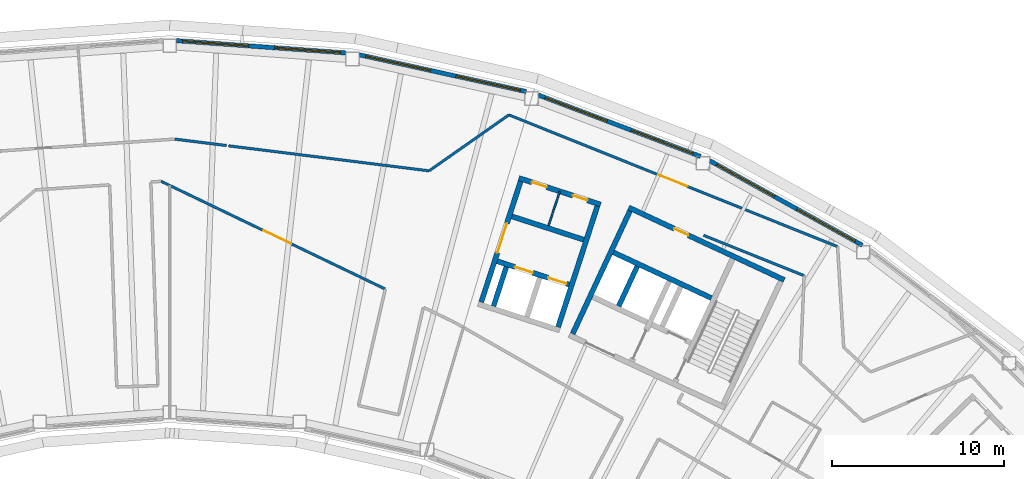
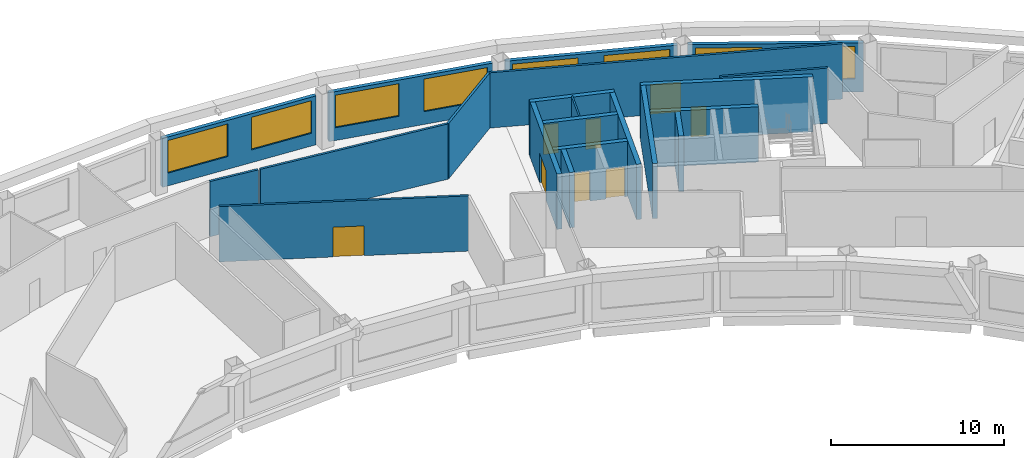
# One storey, part 9 of 15: 21 walls, 8 doors, 8 windows, 16 openings.
"""IFC4 building model written with IfcOpenShell, lengths in metres."""

from ifc_helpers import new_model, si_unit, direction, frame, frame_2d, origin, place, context, subcontext, project, spatial, rectangle, extrude, material, layer, layer_set, type_object, element, fill, save


model = new_model("IFC4")

# Units and contexts
model_context = context("Model", 3, precision=1e-05, world=origin(), true_north=direction((0.0, 1.0)))
body_context = subcontext(model_context, "Body", "Model", "MODEL_VIEW")
ifc_project = project(units=[si_unit("LENGTHUNIT", "METRE"), si_unit("AREAUNIT", "SQUARE_METRE"), si_unit("VOLUMEUNIT", "CUBIC_METRE"), si_unit("PLANEANGLEUNIT", "RADIAN"), si_unit("MASSUNIT", "GRAM", prefix="KILO")], contexts=[model_context])

# Site, building, storey
site_placement = place(None, origin())
site = spatial("IfcSite", under=ifc_project, at=site_placement, CompositionType="ELEMENT")
building_placement = place(site_placement, origin())
building = spatial("IfcBuilding", under=site, at=building_placement, Name="Tuul Gate Civic Tower", CompositionType="ELEMENT")
storey_placement = place(building_placement, frame((0.0, 0.0, 332.300048828125)))
storey = spatial("IfcBuildingStorey", under=building, at=storey_placement, Name="Level 75", CompositionType="ELEMENT", Elevation=332.300048828125)

# Wall
ifc_material_1 = material(Name="Concrete C50/60", Category="concrete")
ifc_layer_1 = layer(ifc_material_1, 0.300048828125)
ifc_layer_set_1 = layer_set([ifc_layer_1], Name="Concrete C50/60")
wall_type_1 = type_object("IfcWallType", Name="Core wall C50/60", PredefinedType="SHEAR", material=ifc_layer_set_1)
wall_1_placement = place(storey_placement, frame((33.75, -0.873779296875, 0.0), z_axis=(0.0, 0.0, 1.0), x_axis=(-0.906300917592, 0.422632992999, 0.0)))
element("IfcWall", 1, at=wall_1_placement, inside=storey, type_object=wall_type_1, Name="Core wall", PredefinedType="SHEAR", context=body_context, shape_type="SweptSolid", body=[
    extrude(rectangle(XDim=6.300048828125, YDim=0.300048828125, at=frame_2d((3.14990234375, 0.0))), origin(), (0.0, 0.0, 1.0), 3.89990234375),
])

# Wall, opening, door
wall_2_placement = place(storey_placement, frame((37.993408203125, 0.181884765625, 0.0), z_axis=(0.0, 0.0, 1.0), x_axis=(-0.906310338845, 0.422612789327, 0.0)))
wall_2 = element("IfcWall", 2, at=wall_2_placement, inside=storey, type_object=wall_type_1, Name="Core wall", PredefinedType="SHEAR", context=body_context, shape_type="SweptSolid", body=[
    extrude(rectangle(XDim=9.999755859375, YDim=0.300048828125, at=frame_2d((5.0, 0.0))), origin(), (0.0, 0.0, 1.0), 3.89990234375),
])
opening_1_placement = place(wall_2_placement, frame((6.175048828125, 0.0, 0.0)))
opening_1 = element("IfcOpeningElement", 3, at=opening_1_placement, cuts=wall_2, Name="Opening AB-D18", PredefinedType="OPENING", context=body_context, shape_type="SweptSolid", body=[
    extrude(rectangle(XDim=0.89990234375, YDim=2.10009765625, at=frame_2d((0.449951171875, 1.050048828125))), frame((0.0, 0.16015625, 0.0), z_axis=(0.0, -1.0, 0.0), x_axis=(1.0, 0.0, 0.0)), (0.0, 0.0, 1.0), 0.320068359375),
])
ifc_material_2 = material(Name="Timber door leaf", Category="wood")
door_type_1 = type_object("IfcDoorType", Name="Door D09", OperationType="NOTDEFINED", PredefinedType="DOOR", material=ifc_material_2)
door_1_placement = place(opening_1_placement, origin())
door_1 = element("IfcDoor", 4, at=door_1_placement, inside=storey, type_object=door_type_1, Name="Door AB-D18", OperationType="SINGLE_SWING_LEFT", OverallHeight=2.10009765625, OverallWidth=0.89990234375, PredefinedType="DOOR", context=body_context, shape_type="SweptSolid", body=[
    extrude(rectangle(XDim=0.89990234375, YDim=2.10009765625, at=frame_2d((0.449951171875, 1.050048828125))), frame((0.0, 0.02490234375, 0.0), z_axis=(0.0, -1.0, 0.0), x_axis=(1.0, 0.0, 0.0)), (0.0, 0.0, 1.0), 0.050048828125),
])
fill(opening_1, door_1)

# Walls
wall_3_placement = place(storey_placement, frame((28.349365234375, -1.33447265625, 0.0), z_axis=(0.0, 0.0, 1.0), x_axis=(0.422612891016, 0.906310291427, 0.0)))
element("IfcWall", 5, at=wall_3_placement, inside=storey, type_object=wall_type_1, Name="Core wall", PredefinedType="SHEAR", context=body_context, shape_type="SweptSolid", body=[
    extrude(rectangle(XDim=2.550048828125, YDim=0.300048828125, at=frame_2d((1.27490234375, 0.0))), origin(), (0.0, 0.0, 1.0), 3.89990234375),
])
wall_4_placement = place(storey_placement, frame((25.66455078125, -2.951416015625, 0.0), z_axis=(0.0, 0.0, 1.0), x_axis=(0.422582604137, 0.906324413596, 0.0)))
element("IfcWall", 6, at=wall_4_placement, inside=storey, type_object=wall_type_1, Name="Core wall", PredefinedType="SHEAR", context=body_context, shape_type="SweptSolid", body=[
    extrude(rectangle(XDim=7.89990234375, YDim=0.300048828125, at=frame_2d((3.949951171875, 0.0))), origin(), (0.0, 0.0, 1.0), 3.89990234375),
])

# Wall, opening, door
ifc_material_3 = material(Name="Gypsum board partition")
ifc_layer_2 = layer(ifc_material_3, 0.14990234375)
ifc_layer_set_2 = layer_set([ifc_layer_2], Name="Gypsum board partition")
wall_type_2 = type_object("IfcWallType", Name="Corridor wall P150", PredefinedType="PARTITIONING", material=ifc_layer_set_2)
wall_5_placement = place(storey_placement, frame((21.94970703125, 9.802490234375, 0.0), z_axis=(0.0, 0.0, 1.0), x_axis=(0.928202204222, -0.372076158975, 0.0)))
wall_5 = element("IfcWall", 7, at=wall_5_placement, inside=storey, type_object=wall_type_2, Name="p011", PredefinedType="PARTITIONING", context=body_context, shape_type="SweptSolid", body=[
    extrude(rectangle(XDim=20.629638671875, YDim=0.14990234375, at=frame_2d((10.31494140625, 0.0))), origin(), (0.0, 0.0, 1.0), 3.89990234375),
])
opening_2_placement = place(wall_5_placement, frame((9.414794921875, 0.0, 0.0)))
opening_2 = element("IfcOpeningElement", 8, at=opening_2_placement, cuts=wall_5, Name="Opening AB-D01", PredefinedType="OPENING", context=body_context, shape_type="SweptSolid", body=[
    extrude(rectangle(XDim=1.800048828125, YDim=2.10009765625, at=frame_2d((0.89990234375, 1.050048828125))), frame((0.0, 0.0849609375, 0.0), z_axis=(0.0, -1.0, 0.0), x_axis=(1.0, 0.0, 0.0)), (0.0, 0.0, 1.0), 0.169921875),
])
ifc_material_4 = material(Name="Timber door leaf, double", Category="wood")
door_type_2 = type_object("IfcDoorType", Name="Door D18", OperationType="DOUBLE_DOOR_SINGLE_SWING", PredefinedType="DOOR", material=ifc_material_4)
door_2_placement = place(opening_2_placement, origin())
door_2 = element("IfcDoor", 9, at=door_2_placement, inside=storey, type_object=door_type_2, Name="Door AB-D01", OperationType="DOUBLE_DOOR_SINGLE_SWING", OverallHeight=2.10009765625, OverallWidth=1.800048828125, PredefinedType="DOOR", context=body_context, shape_type="SweptSolid", body=[
    extrude(rectangle(XDim=1.800048828125, YDim=2.10009765625, at=frame_2d((0.89990234375, 1.050048828125))), frame((0.0, 0.02490234375, 0.0), z_axis=(0.0, -1.0, 0.0), x_axis=(1.0, 0.0, 0.0)), (0.0, 0.0, 1.0), 0.050048828125),
])
fill(opening_2, door_2)

# Walls
wall_6_placement = place(storey_placement, frame((17.305908203125, 6.5439453125, 0.0), z_axis=(0.0, 0.0, 1.0), x_axis=(0.818578347198, 0.574394889861, 0.0)))
element("IfcWall", 10, at=wall_6_placement, inside=storey, type_object=wall_type_2, Name="p012", PredefinedType="PARTITIONING", context=body_context, shape_type="SweptSolid", body=[
    extrude(rectangle(XDim=5.673095703125, YDim=0.14990234375, at=frame_2d((2.83642578125, 0.0))), origin(), (0.0, 0.0, 1.0), 3.89990234375),
])
wall_7_placement = place(storey_placement, frame((2.48779296875, 8.39208984375, 0.0), z_axis=(0.0, 0.0, 1.0), x_axis=(0.992296478197, -0.123885831952, 0.0)))
element("IfcWall", 11, at=wall_7_placement, inside=storey, type_object=wall_type_2, Name="p013", PredefinedType="PARTITIONING", context=body_context, shape_type="SweptSolid", body=[
    extrude(rectangle(XDim=3.027099609375, YDim=0.14990234375, at=frame_2d((1.513671875, 0.0))), origin(), (0.0, 0.0, 1.0), 3.89990234375),
])
wall_8_placement = place(storey_placement, frame((5.622802734375, 8.000732421875, 0.0), z_axis=(0.0, 0.0, 1.0), x_axis=(0.992297019346, -0.123881497396, 0.0)))
element("IfcWall", 12, at=wall_8_placement, inside=storey, type_object=wall_type_2, Name="p014", PredefinedType="PARTITIONING", context=body_context, shape_type="SweptSolid", body=[
    extrude(rectangle(XDim=11.765380859375, YDim=0.14990234375, at=frame_2d((5.8828125, 0.0))), origin(), (0.0, 0.0, 1.0), 3.89990234375),
])

# Wall, opening, door
wall_9_placement = place(storey_placement, frame((1.69091796875, 5.9326171875, 0.0), z_axis=(0.0, 0.0, 1.0), x_axis=(0.901298658641, -0.433198254766, 0.0)))
wall_9 = element("IfcWall", 13, at=wall_9_placement, inside=storey, type_object=wall_type_2, Name="p044", PredefinedType="PARTITIONING", context=body_context, shape_type="SweptSolid", body=[
    extrude(rectangle(XDim=14.47265625, YDim=0.14990234375, at=frame_2d((7.236328125, 0.0))), origin(), (0.0, 0.0, 1.0), 3.89990234375),
])
opening_3_placement = place(wall_9_placement, frame((6.6142578125, 0.0, 0.0)))
opening_3 = element("IfcOpeningElement", 14, at=opening_3_placement, cuts=wall_9, Name="Opening AB-D07", PredefinedType="OPENING", context=body_context, shape_type="SweptSolid", body=[
    extrude(rectangle(XDim=1.800048828125, YDim=2.10009765625, at=frame_2d((0.89990234375, 1.050048828125))), frame((0.0, 0.0849609375, 0.0), z_axis=(0.0, -1.0, 0.0), x_axis=(1.0, 0.0, 0.0)), (0.0, 0.0, 1.0), 0.169921875),
])
door_3_placement = place(opening_3_placement, frame((1.800048828125, 0.0, 0.0), z_axis=(0.0, 0.0, 1.0), x_axis=(-1.0, 0.0, 0.0)))
door_3 = element("IfcDoor", 15, at=door_3_placement, inside=storey, type_object=door_type_2, Name="Door AB-D07", OperationType="DOUBLE_DOOR_SINGLE_SWING", OverallHeight=2.10009765625, OverallWidth=1.800048828125, PredefinedType="DOOR", context=body_context, shape_type="SweptSolid", body=[
    extrude(rectangle(XDim=1.800048828125, YDim=2.10009765625, at=frame_2d((0.900146484375, 1.050048828125))), frame((0.0, 0.02490234375, 0.0), z_axis=(0.0, -1.0, 0.0), x_axis=(1.0, 0.0, 0.0)), (0.0, 0.0, 1.0), 0.050048828125),
])
fill(opening_3, door_3)

# Wall
wall_10_placement = place(storey_placement, frame((33.290771484375, 2.784912109375, 0.0), z_axis=(0.0, 0.0, 1.0), x_axis=(0.928223080545, -0.37202407549, 0.0)))
element("IfcWall", 16, at=wall_10_placement, inside=storey, type_object=wall_type_2, Name="p079", PredefinedType="PARTITIONING", context=body_context, shape_type="SweptSolid", body=[
    extrude(rectangle(XDim=6.3125, YDim=0.14990234375, at=frame_2d((3.15625, 0.0))), origin(), (0.0, 0.0, 1.0), 3.89990234375),
])

# Wall, openings, windows
ifc_material_5 = material(Name="Precast concrete C40/50", Category="concrete")
ifc_layer_3 = layer(ifc_material_5, 0.25)
ifc_layer_set_3 = layer_set([ifc_layer_3], Name="Precast concrete C40/50")
wall_type_3 = type_object("IfcWallType", Name="External wall", PredefinedType="STANDARD", material=ifc_layer_set_3)
wall_11_placement = place(storey_placement, frame((42.54345703125, 2.205078125, 0.0), z_axis=(0.0, 0.0, 1.0), x_axis=(-0.87463511472, 0.484781823193, 0.0)))
wall_11 = element("IfcWall", 17, at=wall_11_placement, inside=storey, type_object=wall_type_3, Name="External wall", PredefinedType="STANDARD", context=body_context, shape_type="SweptSolid", body=[
    extrude(rectangle(XDim=10.161376953125, YDim=0.25, at=frame_2d((5.08056640625, 0.0))), origin(), (0.0, 0.0, 1.0), 3.449951171875),
])
opening_4_placement = place(wall_11_placement, frame((0.48974609375, 0.0, 0.89990234375)))
opening_4 = element("IfcOpeningElement", 18, at=opening_4_placement, cuts=wall_11, Name="Opening W22", PredefinedType="OPENING", context=body_context, shape_type="SweptSolid", body=[
    extrude(rectangle(XDim=3.85009765625, YDim=2.300048828125, at=frame_2d((1.925048828125, 1.14990234375))), frame((0.0, 0.135009765625, 0.0), z_axis=(0.0, -1.0, 0.0), x_axis=(1.0, 0.0, 0.0)), (0.0, 0.0, 1.0), 0.27001953125),
])
opening_5_placement = place(wall_11_placement, frame((5.861328125, 0.0, 0.89990234375)))
opening_5 = element("IfcOpeningElement", 19, at=opening_5_placement, cuts=wall_11, Name="Opening W22", PredefinedType="OPENING", context=body_context, shape_type="SweptSolid", body=[
    extrude(rectangle(XDim=3.85009765625, YDim=2.300048828125, at=frame_2d((1.925048828125, 1.14990234375))), frame((0.0, 0.135009765625, 0.0), z_axis=(0.0, -1.0, 0.0), x_axis=(1.0, 0.0, 0.0)), (0.0, 0.0, 1.0), 0.27001953125),
])
ifc_material_6 = material(Name="Glass", Category="glass")
window_type = type_object("IfcWindowType", Name="Window W22 3850 x 2300", PartitioningType="SINGLE_PANEL", PredefinedType="WINDOW", material=ifc_material_6)
window_1_placement = place(opening_4_placement, origin())
window_1 = element("IfcWindow", 20, at=window_1_placement, inside=storey, type_object=window_type, Name="Window", OverallHeight=2.300048828125, OverallWidth=3.85009765625, PartitioningType="SINGLE_PANEL", PredefinedType="WINDOW", context=body_context, shape_type="SweptSolid", body=[
    extrude(rectangle(XDim=3.85009765625, YDim=2.300048828125, at=frame_2d((1.925048828125, 1.14990234375))), frame((0.0, 0.030029296875, 0.0), z_axis=(0.0, -1.0, 0.0), x_axis=(1.0, 0.0, 0.0)), (0.0, 0.0, 1.0), 0.06005859375),
])
fill(opening_4, window_1)
window_2_placement = place(opening_5_placement, origin())
window_2 = element("IfcWindow", 21, at=window_2_placement, inside=storey, type_object=window_type, Name="Window", OverallHeight=2.300048828125, OverallWidth=3.85009765625, PartitioningType="SINGLE_PANEL", PredefinedType="WINDOW", context=body_context, shape_type="SweptSolid", body=[
    extrude(rectangle(XDim=3.85009765625, YDim=2.300048828125, at=frame_2d((1.925048828125, 1.14990234375))), frame((0.0, 0.030029296875, 0.0), z_axis=(0.0, -1.0, 0.0), x_axis=(1.0, 0.0, 0.0)), (0.0, 0.0, 1.0), 0.06005859375),
])
fill(opening_5, window_2)

wall_12_placement = place(storey_placement, frame((33.115478515625, 7.382080078125, 0.0), z_axis=(0.0, 0.0, 1.0), x_axis=(-0.93534700963, 0.353731496444, 0.0)))
wall_12 = element("IfcWall", 22, at=wall_12_placement, inside=storey, type_object=wall_type_3, Name="External wall", PredefinedType="STANDARD", context=body_context, shape_type="SweptSolid", body=[
    extrude(rectangle(XDim=10.099609375, YDim=0.25, at=frame_2d((5.0498046875, 0.0))), origin(), (0.0, 0.0, 1.0), 3.449951171875),
])
opening_6_placement = place(wall_12_placement, frame((0.45556640625, 0.0, 0.89990234375)))
opening_6 = element("IfcOpeningElement", 23, at=opening_6_placement, cuts=wall_12, Name="Opening W22", PredefinedType="OPENING", context=body_context, shape_type="SweptSolid", body=[
    extrude(rectangle(XDim=3.85009765625, YDim=2.300048828125, at=frame_2d((1.925048828125, 1.14990234375))), frame((0.0, 0.135009765625, 0.0), z_axis=(0.0, -1.0, 0.0), x_axis=(1.0, 0.0, 0.0)), (0.0, 0.0, 1.0), 0.27001953125),
])
opening_7_placement = place(wall_12_placement, frame((5.826904296875, 0.0, 0.89990234375)))
opening_7 = element("IfcOpeningElement", 24, at=opening_7_placement, cuts=wall_12, Name="Opening W22", PredefinedType="OPENING", context=body_context, shape_type="SweptSolid", body=[
    extrude(rectangle(XDim=3.85009765625, YDim=2.300048828125, at=frame_2d((1.925048828125, 1.14990234375))), frame((0.0, 0.135009765625, 0.0), z_axis=(0.0, -1.0, 0.0), x_axis=(1.0, 0.0, 0.0)), (0.0, 0.0, 1.0), 0.27001953125),
])
window_3_placement = place(opening_6_placement, origin())
window_3 = element("IfcWindow", 25, at=window_3_placement, inside=storey, type_object=window_type, Name="Window", OverallHeight=2.300048828125, OverallWidth=3.85009765625, PartitioningType="SINGLE_PANEL", PredefinedType="WINDOW", context=body_context, shape_type="SweptSolid", body=[
    extrude(rectangle(XDim=3.85009765625, YDim=2.300048828125, at=frame_2d((1.925048828125, 1.14990234375))), frame((0.0, 0.030029296875, 0.0), z_axis=(0.0, -1.0, 0.0), x_axis=(1.0, 0.0, 0.0)), (0.0, 0.0, 1.0), 0.06005859375),
])
fill(opening_6, window_3)
window_4_placement = place(opening_7_placement, origin())
window_4 = element("IfcWindow", 26, at=window_4_placement, inside=storey, type_object=window_type, Name="Window", OverallHeight=2.300048828125, OverallWidth=3.85009765625, PartitioningType="SINGLE_PANEL", PredefinedType="WINDOW", context=body_context, shape_type="SweptSolid", body=[
    extrude(rectangle(XDim=3.85009765625, YDim=2.300048828125, at=frame_2d((1.925048828125, 1.14990234375))), frame((0.0, 0.030029296875, 0.0), z_axis=(0.0, -1.0, 0.0), x_axis=(1.0, 0.0, 0.0)), (0.0, 0.0, 1.0), 0.06005859375),
])
fill(opening_7, window_4)

wall_13_placement = place(storey_placement, frame((22.9658203125, 11.157958984375, 0.0), z_axis=(0.0, 0.0, 1.0), x_axis=(-0.976563421064, 0.215229841426, 0.0)))
wall_13 = element("IfcWall", 27, at=wall_13_placement, inside=storey, type_object=wall_type_3, Name="External wall", PredefinedType="STANDARD", context=body_context, shape_type="SweptSolid", body=[
    extrude(rectangle(XDim=9.958251953125, YDim=0.25, at=frame_2d((4.97900390625, 0.0))), origin(), (0.0, 0.0, 1.0), 3.449951171875),
])
opening_8_placement = place(wall_13_placement, frame((0.346923828125, 0.0, 0.89990234375)))
opening_8 = element("IfcOpeningElement", 28, at=opening_8_placement, cuts=wall_13, Name="Opening W22", PredefinedType="OPENING", context=body_context, shape_type="SweptSolid", body=[
    extrude(rectangle(XDim=3.85009765625, YDim=2.300048828125, at=frame_2d((1.925048828125, 1.14990234375))), frame((0.0, 0.135009765625, 0.0), z_axis=(0.0, -1.0, 0.0), x_axis=(1.0, 0.0, 0.0)), (0.0, 0.0, 1.0), 0.27001953125),
])
opening_9_placement = place(wall_13_placement, frame((5.71826171875, 0.0, 0.89990234375)))
opening_9 = element("IfcOpeningElement", 29, at=opening_9_placement, cuts=wall_13, Name="Opening W22", PredefinedType="OPENING", context=body_context, shape_type="SweptSolid", body=[
    extrude(rectangle(XDim=3.85009765625, YDim=2.300048828125, at=frame_2d((1.925048828125, 1.14990234375))), frame((0.0, 0.135009765625, 0.0), z_axis=(0.0, -1.0, 0.0), x_axis=(1.0, 0.0, 0.0)), (0.0, 0.0, 1.0), 0.27001953125),
])
window_5_placement = place(opening_8_placement, origin())
window_5 = element("IfcWindow", 30, at=window_5_placement, inside=storey, type_object=window_type, Name="Window", OverallHeight=2.300048828125, OverallWidth=3.85009765625, PartitioningType="SINGLE_PANEL", PredefinedType="WINDOW", context=body_context, shape_type="SweptSolid", body=[
    extrude(rectangle(XDim=3.85009765625, YDim=2.300048828125, at=frame_2d((1.925048828125, 1.14990234375))), frame((0.0, 0.030029296875, 0.0), z_axis=(0.0, -1.0, 0.0), x_axis=(1.0, 0.0, 0.0)), (0.0, 0.0, 1.0), 0.06005859375),
])
fill(opening_8, window_5)
window_6_placement = place(opening_9_placement, origin())
window_6 = element("IfcWindow", 31, at=window_6_placement, inside=storey, type_object=window_type, Name="Window", OverallHeight=2.300048828125, OverallWidth=3.85009765625, PartitioningType="SINGLE_PANEL", PredefinedType="WINDOW", context=body_context, shape_type="SweptSolid", body=[
    extrude(rectangle(XDim=3.85009765625, YDim=2.300048828125, at=frame_2d((1.925048828125, 1.14990234375))), frame((0.0, 0.030029296875, 0.0), z_axis=(0.0, -1.0, 0.0), x_axis=(1.0, 0.0, 0.0)), (0.0, 0.0, 1.0), 0.06005859375),
])
fill(opening_9, window_6)

wall_14_placement = place(storey_placement, frame((12.44091796875, 13.411376953125, 0.0), z_axis=(0.0, 0.0, 1.0), x_axis=(-0.997387042659, 0.072243249762, 0.0)))
wall_14 = element("IfcWall", 32, at=wall_14_placement, inside=storey, type_object=wall_type_3, Name="External wall", PredefinedType="STANDARD", context=body_context, shape_type="SweptSolid", body=[
    extrude(rectangle(XDim=9.874755859375, YDim=0.25, at=frame_2d((4.9375, 0.0))), origin(), (0.0, 0.0, 1.0), 3.449951171875),
])
opening_10_placement = place(wall_14_placement, frame((0.303466796875, 0.0, 0.89990234375)))
opening_10 = element("IfcOpeningElement", 33, at=opening_10_placement, cuts=wall_14, Name="Opening W22", PredefinedType="OPENING", context=body_context, shape_type="SweptSolid", body=[
    extrude(rectangle(XDim=3.85009765625, YDim=2.300048828125, at=frame_2d((1.925048828125, 1.14990234375))), frame((0.0, 0.135009765625, 0.0), z_axis=(0.0, -1.0, 0.0), x_axis=(1.0, 0.0, 0.0)), (0.0, 0.0, 1.0), 0.27001953125),
])
opening_11_placement = place(wall_14_placement, frame((5.67431640625, 0.0, 0.89990234375)))
opening_11 = element("IfcOpeningElement", 34, at=opening_11_placement, cuts=wall_14, Name="Opening W22", PredefinedType="OPENING", context=body_context, shape_type="SweptSolid", body=[
    extrude(rectangle(XDim=3.85009765625, YDim=2.300048828125, at=frame_2d((1.925048828125, 1.14990234375))), frame((0.0, 0.135009765625, 0.0), z_axis=(0.0, -1.0, 0.0), x_axis=(1.0, 0.0, 0.0)), (0.0, 0.0, 1.0), 0.27001953125),
])
window_7_placement = place(opening_10_placement, origin())
window_7 = element("IfcWindow", 35, at=window_7_placement, inside=storey, type_object=window_type, Name="Window", OverallHeight=2.300048828125, OverallWidth=3.85009765625, PartitioningType="SINGLE_PANEL", PredefinedType="WINDOW", context=body_context, shape_type="SweptSolid", body=[
    extrude(rectangle(XDim=3.85009765625, YDim=2.300048828125, at=frame_2d((1.925048828125, 1.14990234375))), frame((0.0, 0.030029296875, 0.0), z_axis=(0.0, -1.0, 0.0), x_axis=(1.0, 0.0, 0.0)), (0.0, 0.0, 1.0), 0.06005859375),
])
fill(opening_10, window_7)
window_8_placement = place(opening_11_placement, origin())
window_8 = element("IfcWindow", 36, at=window_8_placement, inside=storey, type_object=window_type, Name="Window", OverallHeight=2.300048828125, OverallWidth=3.85009765625, PartitioningType="SINGLE_PANEL", PredefinedType="WINDOW", context=body_context, shape_type="SweptSolid", body=[
    extrude(rectangle(XDim=3.85009765625, YDim=2.300048828125, at=frame_2d((1.925048828125, 1.14990234375))), frame((0.0, 0.030029296875, 0.0), z_axis=(0.0, -1.0, 0.0), x_axis=(1.0, 0.0, 0.0)), (0.0, 0.0, 1.0), 0.06005859375),
])
fill(opening_11, window_8)

# Wall, openings, doors
ifc_material_7 = material(Name="Concrete C40/50", Category="concrete")
ifc_layer_4 = layer(ifc_material_7, 0.300048828125)
ifc_layer_set_4 = layer_set([ifc_layer_4], Name="Concrete C40/50")
wall_type_4 = type_object("IfcWallType", Name="Lift shaft wall C40/50", PredefinedType="STANDARD", material=ifc_layer_set_4)
wall_15_placement = place(storey_placement, frame((25.460693359375, -0.0859375, 0.0), z_axis=(0.0, 0.0, 1.0), x_axis=(-0.951063829732, 0.308994485023, 0.0)))
wall_15 = element("IfcWall", 37, at=wall_15_placement, inside=storey, type_object=wall_type_4, Name="Shaft wall", PredefinedType="STANDARD", context=body_context, shape_type="SweptSolid", body=[
    extrude(rectangle(XDim=4.400146484375, YDim=0.300048828125, at=frame_2d((2.2001953125, 0.0))), origin(), (0.0, 0.0, 1.0), 3.89990234375),
])
opening_12_placement = place(wall_15_placement, frame((0.175048828125, 0.0, 0.0)))
opening_12 = element("IfcOpeningElement", 38, at=opening_12_placement, cuts=wall_15, Name="Opening LD-H2", PredefinedType="OPENING", context=body_context, shape_type="SweptSolid", body=[
    extrude(rectangle(XDim=1.10009765625, YDim=2.10009765625, at=frame_2d((0.550048828125, 1.050048828125))), frame((0.0, 0.16015625, 0.0), z_axis=(0.0, -1.0, 0.0), x_axis=(1.0, 0.0, 0.0)), (0.0, 0.0, 1.0), 0.320068359375),
])
opening_13_placement = place(wall_15_placement, frame((2.22509765625, 0.0, 0.0)))
opening_13 = element("IfcOpeningElement", 39, at=opening_13_placement, cuts=wall_15, Name="Opening LD-H3", PredefinedType="OPENING", context=body_context, shape_type="SweptSolid", body=[
    extrude(rectangle(XDim=1.10009765625, YDim=2.10009765625, at=frame_2d((0.550048828125, 1.050048828125))), frame((0.0, 0.16015625, 0.0), z_axis=(0.0, -1.0, 0.0), x_axis=(1.0, 0.0, 0.0)), (0.0, 0.0, 1.0), 0.320068359375),
])
ifc_material_8 = material(Name="Stainless steel", Category="steel")
door_type_3 = type_object("IfcDoorType", Name="Landing door", OperationType="DOUBLE_DOOR_SLIDING", PredefinedType="DOOR", material=ifc_material_8)
door_4_placement = place(opening_12_placement, origin())
door_4 = element("IfcDoor", 40, at=door_4_placement, inside=storey, type_object=door_type_3, Name="High-rise lift H2 landing door", OperationType="DOUBLE_DOOR_SLIDING", OverallHeight=2.10009765625, OverallWidth=1.10009765625, PredefinedType="DOOR", context=body_context, shape_type="SweptSolid", body=[
    extrude(rectangle(XDim=1.10009765625, YDim=2.10009765625, at=frame_2d((0.550048828125, 1.050048828125))), frame((0.0, 0.02490234375, 0.0), z_axis=(0.0, -1.0, 0.0), x_axis=(1.0, 0.0, 0.0)), (0.0, 0.0, 1.0), 0.050048828125),
])
fill(opening_12, door_4)
door_5_placement = place(opening_13_placement, origin())
door_5 = element("IfcDoor", 41, at=door_5_placement, inside=storey, type_object=door_type_3, Name="High-rise lift H3 landing door", OperationType="DOUBLE_DOOR_SLIDING", OverallHeight=2.10009765625, OverallWidth=1.10009765625, PredefinedType="DOOR", context=body_context, shape_type="SweptSolid", body=[
    extrude(rectangle(XDim=1.10009765625, YDim=2.10009765625, at=frame_2d((0.550048828125, 1.050048828125))), frame((0.0, 0.02490234375, 0.0), z_axis=(0.0, -1.0, 0.0), x_axis=(1.0, 0.0, 0.0)), (0.0, 0.0, 1.0), 0.050048828125),
])
fill(opening_13, door_5)

# Wall
wall_16_placement = place(storey_placement, frame((26.310546875, 2.529541015625, 0.0), z_axis=(0.0, 0.0, 1.0), x_axis=(-0.951058531764, 0.30901079133, 0.0)))
element("IfcWall", 42, at=wall_16_placement, inside=storey, type_object=wall_type_4, Name="Shaft wall", PredefinedType="STANDARD", context=body_context, shape_type="SweptSolid", body=[
    extrude(rectangle(XDim=4.39990234375, YDim=0.300048828125, at=frame_2d((2.199951171875, 0.0))), origin(), (0.0, 0.0, 1.0), 3.89990234375),
])

# Wall, openings, doors
wall_17_placement = place(storey_placement, frame((27.29150390625, 4.57666015625, 0.0), z_axis=(0.0, 0.0, 1.0), x_axis=(-0.951067792613, 0.308982287281, 0.0)))
wall_17 = element("IfcWall", 43, at=wall_17_placement, inside=storey, type_object=wall_type_4, Name="Shaft wall", PredefinedType="STANDARD", context=body_context, shape_type="SweptSolid", body=[
    extrude(rectangle(XDim=5.0, YDim=0.300048828125, at=frame_2d((2.5, 0.0))), origin(), (0.0, 0.0, 1.0), 3.89990234375),
])
opening_14_placement = place(wall_17_placement, frame((0.800048828125, 0.0, 0.0)))
opening_14 = element("IfcOpeningElement", 44, at=opening_14_placement, cuts=wall_17, Name="Opening AB-D19", PredefinedType="OPENING", context=body_context, shape_type="SweptSolid", body=[
    extrude(rectangle(XDim=0.89990234375, YDim=2.10009765625, at=frame_2d((0.449951171875, 1.050048828125))), frame((0.0, 0.16015625, 0.0), z_axis=(0.0, -1.0, 0.0), x_axis=(1.0, 0.0, 0.0)), (0.0, 0.0, 1.0), 0.320068359375),
])
opening_15_placement = place(wall_17_placement, frame((3.300048828125, 0.0, 0.0)))
opening_15 = element("IfcOpeningElement", 45, at=opening_15_placement, cuts=wall_17, Name="Opening AB-D20", PredefinedType="OPENING", context=body_context, shape_type="SweptSolid", body=[
    extrude(rectangle(XDim=0.89990234375, YDim=2.10009765625, at=frame_2d((0.449951171875, 1.050048828125))), frame((0.0, 0.16015625, 0.0), z_axis=(0.0, -1.0, 0.0), x_axis=(1.0, 0.0, 0.0)), (0.0, 0.0, 1.0), 0.320068359375),
])
door_6_placement = place(opening_14_placement, origin())
door_6 = element("IfcDoor", 46, at=door_6_placement, inside=storey, type_object=door_type_1, Name="Door AB-D19", OperationType="SINGLE_SWING_LEFT", OverallHeight=2.10009765625, OverallWidth=0.89990234375, PredefinedType="DOOR", context=body_context, shape_type="SweptSolid", body=[
    extrude(rectangle(XDim=0.89990234375, YDim=2.10009765625, at=frame_2d((0.449951171875, 1.050048828125))), frame((0.0, 0.02490234375, 0.0), z_axis=(0.0, -1.0, 0.0), x_axis=(1.0, 0.0, 0.0)), (0.0, 0.0, 1.0), 0.050048828125),
])
fill(opening_14, door_6)
door_7_placement = place(opening_15_placement, origin())
door_7 = element("IfcDoor", 47, at=door_7_placement, inside=storey, type_object=door_type_1, Name="Door AB-D20", OperationType="SINGLE_SWING_RIGHT", OverallHeight=2.10009765625, OverallWidth=0.89990234375, PredefinedType="DOOR", context=body_context, shape_type="SweptSolid", body=[
    extrude(rectangle(XDim=0.89990234375, YDim=2.10009765625, at=frame_2d((0.449951171875, 1.050048828125))), frame((0.0, 0.02490234375, 0.0), z_axis=(0.0, -1.0, 0.0), x_axis=(1.0, 0.0, 0.0)), (0.0, 0.0, 1.0), 0.050048828125),
])
fill(opening_15, door_7)

# Walls
wall_18_placement = place(storey_placement, frame((24.815185546875, -2.557373046875, 0.0), z_axis=(0.0, 0.0, 1.0), x_axis=(0.30907264409, 0.951038432807, 0.0)))
element("IfcWall", 48, at=wall_18_placement, inside=storey, type_object=wall_type_4, Name="Shaft wall", PredefinedType="STANDARD", context=body_context, shape_type="SweptSolid", body=[
    extrude(rectangle(XDim=7.39990234375, YDim=0.300048828125, at=frame_2d((3.699951171875, 0.0))), origin(), (0.0, 0.0, 1.0), 3.89990234375),
])
wall_19_placement = place(storey_placement, frame((21.058349609375, -1.336669921875, 0.0), z_axis=(0.0, 0.0, 1.0), x_axis=(0.309138975195, 0.951016873675, 0.0)))
element("IfcWall", 49, at=wall_19_placement, inside=storey, type_object=wall_type_4, Name="Shaft wall", PredefinedType="STANDARD", context=body_context, shape_type="SweptSolid", body=[
    extrude(rectangle(XDim=2.400146484375, YDim=0.300048828125, at=frame_2d((1.2001953125, 0.0))), origin(), (0.0, 0.0, 1.0), 3.89990234375),
])

# Wall, opening, door
wall_20_placement = place(storey_placement, frame((20.34521484375, -1.10498046875, 0.0), z_axis=(0.0, 0.0, 1.0), x_axis=(0.30907264409, 0.951038432807, 0.0)))
wall_20 = element("IfcWall", 50, at=wall_20_placement, inside=storey, type_object=wall_type_4, Name="Shaft wall", PredefinedType="STANDARD", context=body_context, shape_type="SweptSolid", body=[
    extrude(rectangle(XDim=7.39990234375, YDim=0.300048828125, at=frame_2d((3.699951171875, 0.0))), origin(), (0.0, 0.0, 1.0), 3.89990234375),
])
opening_16_placement = place(wall_20_placement, frame((3.02490234375, 0.0, 0.0)))
opening_16 = element("IfcOpeningElement", 51, at=opening_16_placement, cuts=wall_20, Name="Opening LB-E4-LOBBY-1", PredefinedType="OPENING", context=body_context, shape_type="SweptSolid", body=[
    extrude(rectangle(XDim=1.800048828125, YDim=2.10009765625, at=frame_2d((0.89990234375, 1.050048828125))), frame((0.0, 0.16015625, 0.0), z_axis=(0.0, -1.0, 0.0), x_axis=(1.0, 0.0, 0.0)), (0.0, 0.0, 1.0), 0.320068359375),
])
ifc_material_9 = material(Name="Steel", Category="steel")
door_type_4 = type_object("IfcDoorType", Name="Lobby door", OperationType="DOUBLE_DOOR_SINGLE_SWING", PredefinedType="DOOR", material=ifc_material_9)
door_8_placement = place(opening_16_placement, frame((1.800048828125, 0.0, 0.0), z_axis=(0.0, 0.0, 1.0), x_axis=(-1.0, 0.0, 0.0)))
door_8 = element("IfcDoor", 52, at=door_8_placement, inside=storey, type_object=door_type_4, Name="Lobby door E4-LOBBY", OperationType="DOUBLE_DOOR_SINGLE_SWING", OverallHeight=2.10009765625, OverallWidth=1.800048828125, PredefinedType="DOOR", context=body_context, shape_type="SweptSolid", body=[
    extrude(rectangle(XDim=1.800048828125, YDim=2.10009765625, at=frame_2d((0.900146484375, 1.050048828125))), frame((0.0, 0.02490234375, 0.0), z_axis=(0.0, -1.0, 0.0), x_axis=(1.0, 0.0, 0.0)), (0.0, 0.0, 1.0), 0.050048828125),
])
fill(opening_16, door_8)

# Wall
ifc_material_10 = material(Name="Gypsum board partition")
ifc_layer_5 = layer(ifc_material_10, 0.10009765625)
ifc_layer_set_5 = layer_set([ifc_layer_5], Name="Gypsum board partition")
wall_type_5 = type_object("IfcWallType", Name="Partition P100", PredefinedType="PARTITIONING", material=ifc_layer_set_5)
wall_21_placement = place(storey_placement, frame((24.2646484375, 3.35205078125, 0.0), z_axis=(0.0, 0.0, 1.0), x_axis=(0.309138649025, 0.951016979701, 0.0)))
element("IfcWall", 53, at=wall_21_placement, inside=storey, type_object=wall_type_5, Name="bE4-BAND-0", PredefinedType="PARTITIONING", context=body_context, shape_type="SweptSolid", body=[
    extrude(rectangle(XDim=2.099853515625, YDim=0.10009765625, at=frame_2d((1.0498046875, 0.0))), origin(), (0.0, 0.0, 1.0), 3.89990234375),
])

save(model, "model.ifc")
